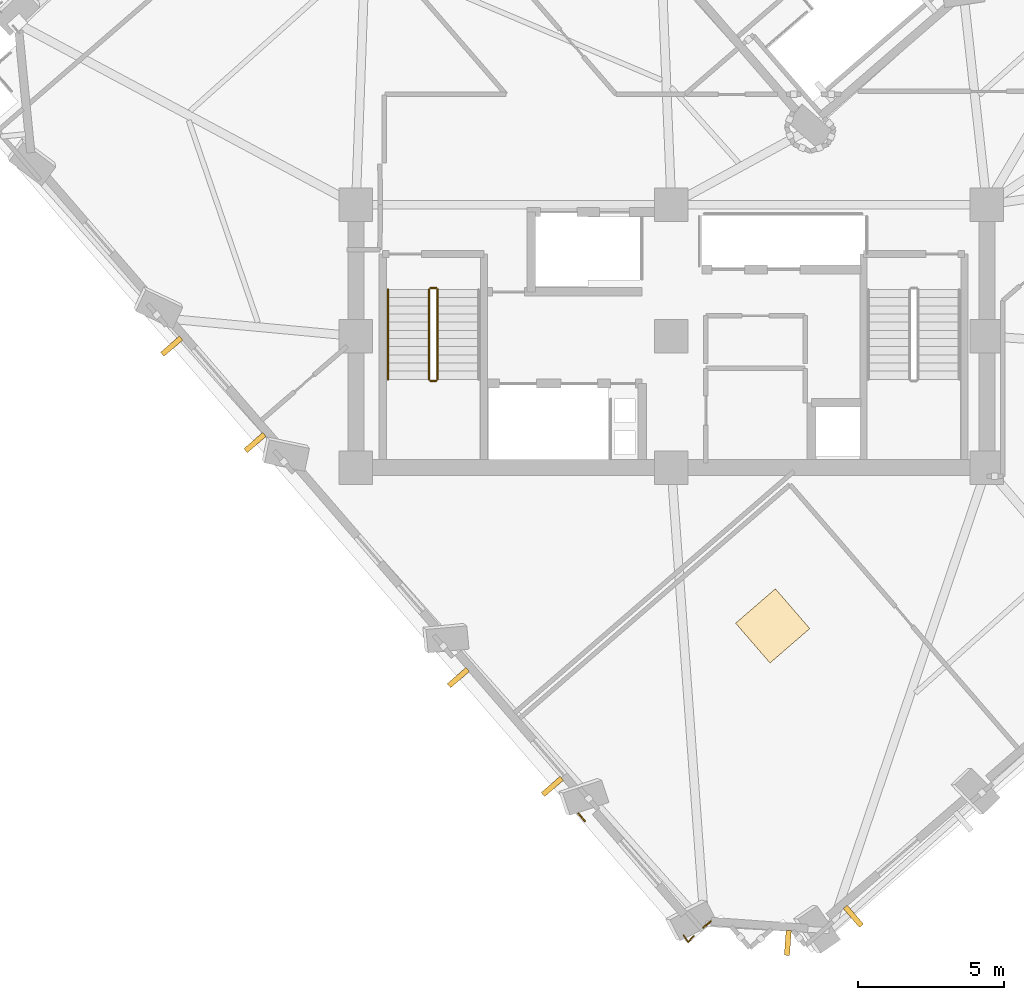
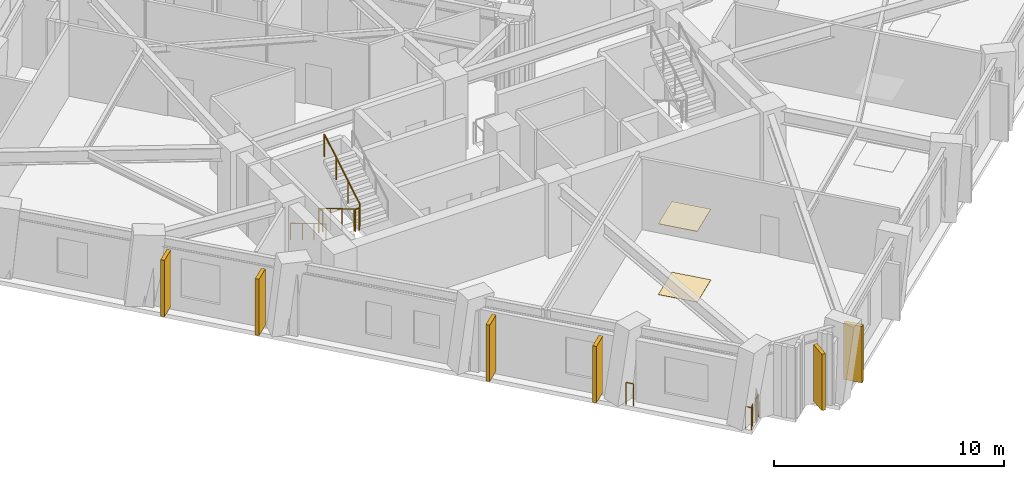
# One storey, part 10 of 14: 8 railings, 6 shading devices, 2 coverings.
"""IFC4 building model written with IfcOpenShell, lengths in metres."""

from ifc_helpers import new_model, si_unit, direction, frame, origin, origin_2d, place, context, subcontext, project, spatial, rectangle, circle, extrude, material, layer, layer_set, type_object, element, save


model = new_model("IFC4")

# Units and contexts
model_context = context("Model", 3, precision=1e-05, world=origin(), true_north=direction((0.0, 1.0)))
body_context = subcontext(model_context, "Body", "Model", "MODEL_VIEW")
ifc_project = project(units=[si_unit("LENGTHUNIT", "METRE"), si_unit("AREAUNIT", "SQUARE_METRE"), si_unit("VOLUMEUNIT", "CUBIC_METRE"), si_unit("PLANEANGLEUNIT", "RADIAN"), si_unit("MASSUNIT", "GRAM", prefix="KILO")], contexts=[model_context])

# Site, building, storey
site_placement = place(None, origin())
site = spatial("IfcSite", under=ifc_project, at=site_placement, CompositionType="ELEMENT")
building_placement = place(site_placement, origin())
building = spatial("IfcBuilding", under=site, at=building_placement, Name="Gaonmaruhae Medical Tower", CompositionType="ELEMENT")
storey_placement = place(building_placement, frame((0.0, 0.0, 197.800048828125)))
storey = spatial("IfcBuildingStorey", under=building, at=storey_placement, Name="L47", CompositionType="ELEMENT", Elevation=197.800048828125)

# Coverings
ifc_material_1 = material(Name="Acoustic mineral ceiling tile", Category="finish")
ifc_layer_1 = layer(ifc_material_1, 0.02490234375)
ifc_layer_set_1 = layer_set([ifc_layer_1], Name="Acoustic mineral ceiling tile")
covering_type_1 = type_object("IfcCoveringType", Name="CLG-01 Antimicrobial Acoustic Mineral Ceiling", PredefinedType="CEILING", material=ifc_layer_set_1)
covering_1_placement = place(storey_placement, frame((28.269287109375, 2.382568359375, 3.7548828125), z_axis=(0.0, 0.0, 1.0), x_axis=(0.756424550435, 0.654080957909, 0.0)))
element("IfcCovering", 1, at=covering_1_placement, inside=storey, type_object=covering_type_1, Name="L47 Clinical Room Acoustic Ceiling 2", PredefinedType="CEILING", context=body_context, shape_type="SweptSolid", body=[
    extrude(rectangle(XDim=1.800048828125, YDim=1.800048828125, at=origin_2d()), origin(), (0.0, 0.0, 1.0), 0.02490234375),
])
ifc_material_2 = material(Name="Seamless clinical vinyl flooring", Category="finish")
ifc_layer_2 = layer(ifc_material_2, 0.014892578125)
ifc_layer_set_2 = layer_set([ifc_layer_2], Name="Seamless clinical vinyl flooring")
covering_type_2 = type_object("IfcCoveringType", Name="FLR-01 Seamless Clinical Antistatic Vinyl Flooring", PredefinedType="FLOORING", material=ifc_layer_set_2)
covering_2_placement = place(storey_placement, frame((28.269287109375, 2.382568359375, 0.0), z_axis=(0.0, 0.0, 1.0), x_axis=(0.756424550435, 0.654080957909, 0.0)))
element("IfcCovering", 2, at=covering_2_placement, inside=storey, type_object=covering_type_2, Name="L47 Clinical Room Vinyl Flooring 2", PredefinedType="FLOORING", context=body_context, shape_type="SweptSolid", body=[
    extrude(rectangle(XDim=1.800048828125, YDim=1.800048828125, at=origin_2d()), origin(), (0.0, 0.0, 1.0), 0.014892578125),
])

# Railings
ifc_material_3 = material(Name="Stainless steel 316L and laminated safety glass", Category="steel")
ifc_layer_3 = layer(ifc_material_3, 0.080078125)
ifc_layer_set_3 = layer_set([ifc_layer_3], Name="Stainless steel 316L and laminated safety glass")
railing_type_1 = type_object("IfcRailingType", Name="GD-120 Outdoor Terrace Safety Glass & Steel Balustrade", PredefinedType="BALUSTRADE", material=ifc_layer_set_3)
railing_1_placement = place(storey_placement, frame((26.14208984375, -7.732177734375, 0.0)))
element("IfcRailing", 3, at=railing_1_placement, inside=storey, type_object=railing_type_1, Name="L47 Perimeter Slab Edge Safety Balustrade 04", PredefinedType="BALUSTRADE", context=body_context, shape_type="SweptSolid", body=[
    extrude(circle(Radius=0.02392578125, at=origin_2d()), frame((0.0, 0.0, 1.17578125), z_axis=(-0.756453125683, -0.654047910052, 0.0), x_axis=(0.654047910052, -0.756453125683, 0.0)), (0.0, 0.0, 1.0), 0.32666015625),
    extrude(circle(Radius=0.02099609375, at=origin_2d()), origin(), (0.0, 0.0, 1.0), 1.15185546875),
    extrude(circle(Radius=0.02099609375, at=origin_2d()), frame((-0.2470703125, -0.213623046875, 0.0)), (0.0, 0.0, 1.0), 1.15185546875),
])
railing_2_placement = place(storey_placement, frame((21.836181640625, -4.296875, 0.0)))
element("IfcRailing", 4, at=railing_2_placement, inside=storey, type_object=railing_type_1, Name="L47 Perimeter Slab Edge Safety Balustrade 05", PredefinedType="BALUSTRADE", context=body_context, shape_type="SweptSolid", body=[
    extrude(circle(Radius=0.02392578125, at=origin_2d()), frame((0.0, 0.0, 1.17578125), z_axis=(-0.653807113231, 0.756661257557, 0.0), x_axis=(-0.756661257557, -0.653807113231, 0.0)), (0.0, 0.0, 1.0), 0.33935546875),
    extrude(circle(Radius=0.02099609375, at=origin_2d()), origin(), (0.0, 0.0, 1.0), 1.15185546875),
    extrude(circle(Radius=0.02099609375, at=origin_2d()), frame((-0.221923828125, 0.2568359375, 0.0)), (0.0, 0.0, 1.0), 1.15185546875),
])
railing_3_placement = place(storey_placement, frame((25.567138671875, -8.229248046875, 0.0)))
element("IfcRailing", 5, at=railing_3_placement, inside=storey, type_object=railing_type_1, Name="L47 Perimeter Corner Safety Balustrade 11", PredefinedType="BALUSTRADE", context=body_context, shape_type="SweptSolid", body=[
    extrude(circle(Radius=0.02392578125, at=origin_2d()), frame((0.0, 0.0, 1.17578125), z_axis=(-0.670935590002, -0.741515633057, 0.0), x_axis=(0.741515633057, -0.670935590002, 0.0)), (0.0, 0.0, 1.0), 0.287109375),
    extrude(circle(Radius=0.02392578125, at=origin_2d()), frame((-0.192626953125, -0.212890625, 1.17578125), z_axis=(-0.556856435182, 0.830608759042, 0.0), x_axis=(-0.830608759042, -0.556856435182, 0.0)), (0.0, 0.0, 1.0), 0.287109375),
    extrude(circle(Radius=0.02099609375, at=origin_2d()), origin(), (0.0, 0.0, 1.0), 1.15185546875),
    extrude(circle(Radius=0.02099609375, at=origin_2d()), frame((-0.192626953125, -0.212890625, 0.0)), (0.0, 0.0, 1.0), 1.15185546875),
    extrude(circle(Radius=0.02099609375, at=origin_2d()), frame((-0.3525390625, 0.025634765625, 0.0)), (0.0, 0.0, 1.0), 1.15185546875),
])
ifc_material_4 = material(Name="Stainless steel 304 handrail", Category="steel")
railing_type_2 = type_object("IfcRailingType", Name="HR-092 Continuous Stainless Steel Stair Handrail", PredefinedType="HANDRAIL", material=ifc_material_4)
railing_4_placement = place(storey_placement, frame((15.10009765625, 13.89990234375, 0.16650390625)))
element("IfcRailing", 6, at=railing_4_placement, inside=storey, type_object=railing_type_2, Name="L47 ST-01 stair handrail 1", PredefinedType="HANDRAIL", context=body_context, shape_type="SweptSolid", body=[
    extrude(circle(Radius=0.02392578125, at=origin_2d()), frame((0.0, 0.0, 0.8759765625), z_axis=(0.0, -0.859260807169, 0.511537745687), x_axis=(1.0, 0.0, 0.0)), (0.0, 0.0, 1.0), 3.584228515625),
    extrude(circle(Radius=0.02099609375, at=origin_2d()), origin(), (0.0, 0.0, 1.0), 0.851806640625),
    extrude(circle(Radius=0.02099609375, at=origin_2d()), frame((0.0, -1.026611328125, 0.611083984375)), (0.0, 0.0, 1.0), 0.851806640625),
    extrude(circle(Radius=0.02099609375, at=origin_2d()), frame((0.0, -2.05322265625, 1.222412109375)), (0.0, 0.0, 1.0), 0.851806640625),
    extrude(circle(Radius=0.02099609375, at=origin_2d()), frame((0.0, -3.079833984375, 1.83349609375)), (0.0, 0.0, 1.0), 0.851806640625),
])

# Shading devices
ifc_material_5 = material(Name="Pigmented coral precast concrete C45/55", Category="concrete")
shading_device_type = type_object("IfcShadingDeviceType", Name="SD-FIN1 Tower Vertical Coral Precast Shading Fin", PredefinedType="USERDEFINED", material=ifc_material_5)
for number, where, z_axis, x_axis, name in (
    (7, (31.02880859375, -7.55859375, 0.132568359375), (0.0, 0.0, 1.0), (-0.756413134453, -0.654094159909, 0.0), "L47 Vertical Coral Precast Shading Fin S01B"),
    (8, (10.5478515625, 8.65869140625, 0.132568359375), (0.0, 0.0, 1.0), (-0.654080957909, 0.756424550435, 0.0), "L47 Vertical Coral Precast Shading Fin W02"),
    (9, (7.694580078125, 11.958251953125, 0.132568359375), (0.0, 0.0, 1.0), (-0.654080957909, 0.756424550435, 0.0), "L47 Vertical Coral Precast Shading Fin W02B"),
    (10, (20.726806640625, -3.11279296875, 0.132568359375), (0.0, 0.0, 1.0), (-0.654080957909, 0.756424550435, 0.0), "L47 Vertical Coral Precast Shading Fin W04"),
    (11, (17.50634765625, 0.611328125, 0.132568359375), (0.0, 0.0, 1.0), (-0.654080957909, 0.756424550435, 0.0), "L47 Vertical Coral Precast Shading Fin W04B"),
    (12, (28.786865234375, -8.470458984375, 0.132568359375), (0.0, 0.0, 1.0), (-0.997378009851, 0.072367848286, 0.0), "L47 Vertical Coral Precast Shading Fin W06"),
):
    element("IfcShadingDevice", number, at=place(storey_placement, frame(where, z_axis=z_axis, x_axis=x_axis)), inside=storey, type_object=shading_device_type, Name=name, ObjectType="FIN", PredefinedType="USERDEFINED", context=body_context, shape_type="SweptSolid", body=[
        extrude(rectangle(XDim=0.179931640625, YDim=0.85009765625, at=origin_2d()), origin(), (0.0, 0.0, 1.0), 3.0),
    ])

# Railings
ifc_material_6 = material(Name="Stainless steel 304 balustrade", Category="steel")
railing_type_3 = type_object("IfcRailingType", Name="SG-112 Stair Well & Ramp Void Safety Balustrade", PredefinedType="BALUSTRADE", material=ifc_material_6)
railing_5_placement = place(storey_placement, frame((16.5, 13.89990234375, 0.16650390625)))
element("IfcRailing", 13, at=railing_5_placement, inside=storey, type_object=railing_type_3, Name="L47 ST-01 stair guard 1", PredefinedType="BALUSTRADE", context=body_context, shape_type="SweptSolid", body=[
    extrude(circle(Radius=0.02392578125, at=origin_2d()), frame((0.0, 0.0, 1.17578125), z_axis=(0.0, -0.859260807169, 0.511537745687), x_axis=(1.0, 0.0, 0.0)), (0.0, 0.0, 1.0), 3.584228515625),
    extrude(circle(Radius=0.02099609375, at=origin_2d()), origin(), (0.0, 0.0, 1.0), 1.15185546875),
    extrude(circle(Radius=0.02099609375, at=origin_2d()), frame((0.0, -1.026611328125, 0.611083984375)), (0.0, 0.0, 1.0), 1.15185546875),
    extrude(circle(Radius=0.02099609375, at=origin_2d()), frame((0.0, -2.05322265625, 1.222412109375)), (0.0, 0.0, 1.0), 1.15185546875),
    extrude(circle(Radius=0.02099609375, at=origin_2d()), frame((0.0, -3.079833984375, 1.83349609375)), (0.0, 0.0, 1.0), 1.15185546875),
])
railing_6_placement = place(storey_placement, frame((16.550048828125, 10.77001953125, 2.0)))
element("IfcRailing", 14, at=railing_6_placement, inside=storey, type_object=railing_type_3, Name="L47 ST-01 stair guard 2", PredefinedType="BALUSTRADE", context=body_context, shape_type="SweptSolid", body=[
    extrude(circle(Radius=0.02392578125, at=origin_2d()), frame((0.0, 0.0, 1.17578125), z_axis=(1.0, 0.0, 0.0), x_axis=(0.0, 1.0, 0.0)), (0.0, 0.0, 1.0), 0.199951171875),
    extrude(circle(Radius=0.02099609375, at=origin_2d()), origin(), (0.0, 0.0, 1.0), 1.15185546875),
    extrude(circle(Radius=0.02099609375, at=origin_2d()), frame((0.199951171875, 0.0, 0.0)), (0.0, 0.0, 1.0), 1.15185546875),
])
railing_7_placement = place(storey_placement, frame((16.800048828125, 10.820068359375, 2.16650390625)))
element("IfcRailing", 15, at=railing_7_placement, inside=storey, type_object=railing_type_3, Name="L47 ST-01 stair guard 3", PredefinedType="BALUSTRADE", context=body_context, shape_type="SweptSolid", body=[
    extrude(circle(Radius=0.02392578125, at=origin_2d()), frame((0.0, 0.0, 1.17578125), z_axis=(0.0, 0.859260807169, 0.511537745687), x_axis=(-1.0, 0.0, 0.0)), (0.0, 0.0, 1.0), 3.584228515625),
    extrude(circle(Radius=0.02099609375, at=origin_2d()), origin(), (0.0, 0.0, 1.0), 1.15185546875),
    extrude(circle(Radius=0.02099609375, at=origin_2d()), frame((0.0, 1.026611328125, 0.611083984375)), (0.0, 0.0, 1.0), 1.15185546875),
    extrude(circle(Radius=0.02099609375, at=origin_2d()), frame((0.0, 2.05322265625, 1.222412109375)), (0.0, 0.0, 1.0), 1.15185546875),
    extrude(circle(Radius=0.02099609375, at=origin_2d()), frame((0.0, 3.079833984375, 1.83349609375)), (0.0, 0.0, 1.0), 1.15185546875),
])
railing_8_placement = place(storey_placement, frame((16.550048828125, 13.949951171875, 0.0)))
element("IfcRailing", 16, at=railing_8_placement, inside=storey, type_object=railing_type_3, Name="L47 ST-01 stair guard 4", PredefinedType="BALUSTRADE", context=body_context, shape_type="SweptSolid", body=[
    extrude(circle(Radius=0.02392578125, at=origin_2d()), frame((0.0, 0.0, 1.17578125), z_axis=(1.0, 0.0, 0.0), x_axis=(0.0, 1.0, 0.0)), (0.0, 0.0, 1.0), 0.199951171875),
    extrude(circle(Radius=0.02099609375, at=origin_2d()), origin(), (0.0, 0.0, 1.0), 1.15185546875),
    extrude(circle(Radius=0.02099609375, at=origin_2d()), frame((0.199951171875, 0.0, 0.0)), (0.0, 0.0, 1.0), 1.15185546875),
])

save(model, "model.ifc")
